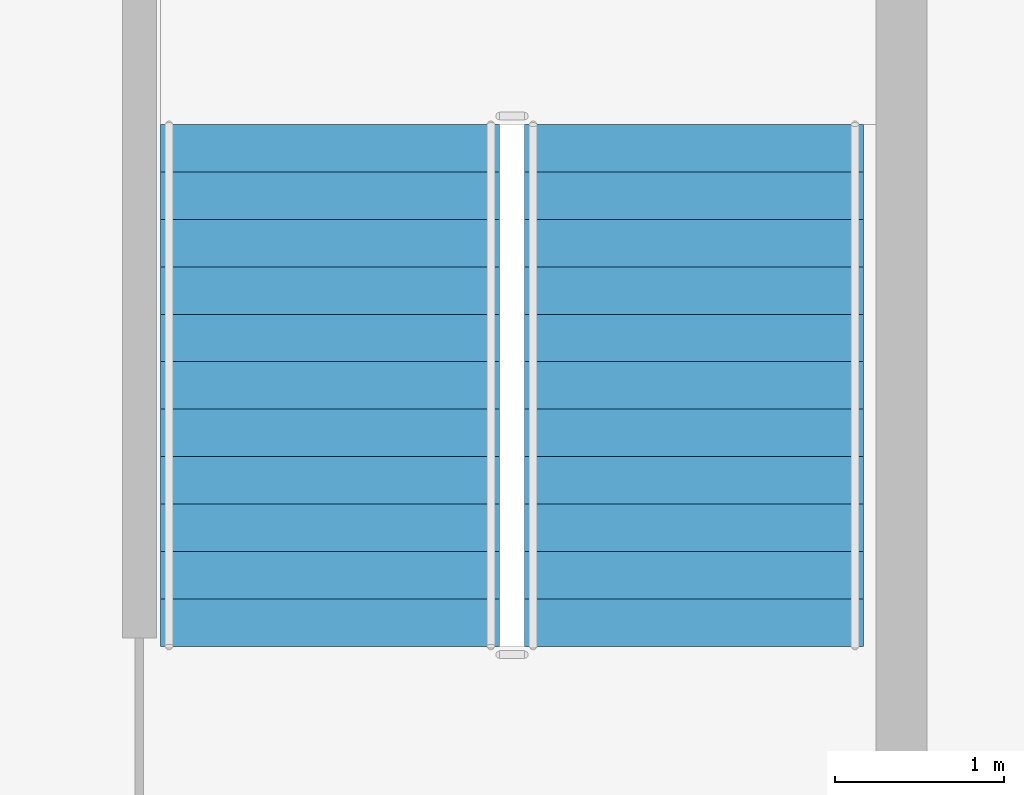
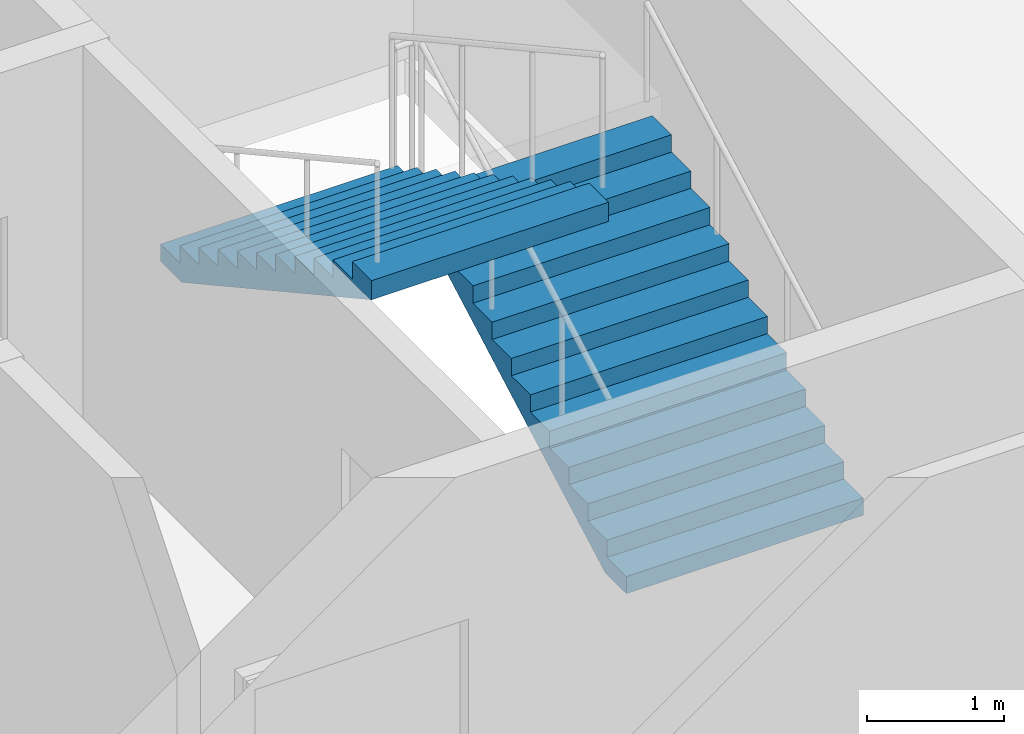
# One storey, part 9 of 12: 2 stair flights, 1 element without a shape of its own.
"""IFC4 building model written with IfcOpenShell, lengths in metres."""

from ifc_helpers import new_model, si_unit, direction, frame, origin, place, context, subcontext, project, spatial, polygons, material, type_object, element, aggregate, save


model = new_model("IFC4")

# Units and contexts
model_context = context("Model", 3, precision=1e-05, world=origin(), true_north=direction((0.0, 1.0)))
body_context = subcontext(model_context, "Body", "Model", "MODEL_VIEW")
ifc_project = project(units=[si_unit("LENGTHUNIT", "METRE"), si_unit("AREAUNIT", "SQUARE_METRE"), si_unit("VOLUMEUNIT", "CUBIC_METRE"), si_unit("PLANEANGLEUNIT", "RADIAN"), si_unit("MASSUNIT", "GRAM", prefix="KILO")], contexts=[model_context])

# Site, building, storey
site_placement = place(None, origin())
site = spatial("IfcSite", under=ifc_project, at=site_placement, CompositionType="ELEMENT")
building_placement = place(site_placement, origin())
building = spatial("IfcBuilding", under=site, at=building_placement, Name="Caravel Reach Hotel and Residences", CompositionType="ELEMENT")
storey_placement = place(building_placement, frame((0.0, 0.0, 245.300048828125)))
storey = spatial("IfcBuildingStorey", under=building, at=storey_placement, Name="L62", CompositionType="ELEMENT", Elevation=245.300048828125)

# Stair, stair flights
ifc_material_1 = material(Name="Concrete C40", Category="concrete")
stair_type = type_object("IfcStairType", Name="Core stair", PredefinedType="HALF_TURN_STAIR", material=ifc_material_1)
stair_placement = place(storey_placement, origin())
stair = element("IfcStair", 1, at=stair_placement, inside=storey, type_object=stair_type, Name="L62 Exit stair B", PredefinedType="HALF_TURN_STAIR")
ifc_material_2 = material(Name="Concrete C40", Category="concrete")
stair_flight_type = type_object("IfcStairFlightType", Name="Core stair flight", PredefinedType="STRAIGHT", material=ifc_material_2)
stair_flight_1_placement = place(storey_placement, frame((43.77490234375, 24.64990234375, 0.0), z_axis=(0.0, 0.0, 1.0), x_axis=(0.0, 1.0, 0.0)))
stair_flight_1 = element("IfcStairFlight", 2, at=stair_flight_1_placement, type_object=stair_flight_type, Name="ST-B flight 1", NumberOfRisers=12, NumberOfTreads=11, PredefinedType="STRAIGHT", RiserHeight=0.154166667, TreadLength=0.28, context=body_context, shape_type="Tessellation", body=[
    polygons([(0.3107950034306102, 1.0, 0.0), (0.3107950034306102, 0.6666666666666667, 0.0), (0.3107950034306102, 0.33333333333333337, 0.0), (0.3107950034306102, 0.0, 0.0), (0.3107950034306102, -0.33333333333333326, 0.0), (0.3107950034306102, -0.6666666666666667, 0.0), (0.3107950034306102, -1.0, 0.0), (3.081, 1.0, 1.524711087717319), (3.081, 0.6666666666666667, 1.524711087717319), (3.081, 0.33333333333333337, 1.524711087717319), (3.081, 0.0, 1.524711087717319), (3.081, -0.33333333333333326, 1.524711087717319), (3.081, -0.6666666666666667, 1.524711087717319), (3.081, -1.0, 1.524711087717319), (3.081, 1.0, 1.695833337), (3.081, 0.6666666666666667, 1.695833337), (3.081, 0.33333333333333337, 1.695833337), (3.081, 0.0, 1.695833337), (3.081, -0.33333333333333326, 1.695833337), (3.081, -0.6666666666666667, 1.695833337), (3.081, -1.0, 1.695833337), (2.8000000000000003, 1.0, 1.695833337), (2.8000000000000003, 0.6666666666666667, 1.695833337), (2.8000000000000003, 0.33333333333333337, 1.695833337), (2.8000000000000003, 0.0, 1.695833337), (2.8000000000000003, -0.33333333333333326, 1.695833337), (2.8000000000000003, -0.6666666666666667, 1.695833337), (2.8000000000000003, -1.0, 1.695833337), (2.8000000000000003, 1.0, 1.5416666700000001), (2.8000000000000003, 0.6666666666666667, 1.5416666700000001), (2.8000000000000003, 0.33333333333333337, 1.5416666700000001), (2.8000000000000003, 0.0, 1.5416666700000001), (2.8000000000000003, -0.33333333333333326, 1.5416666700000001), (2.8000000000000003, -0.6666666666666667, 1.5416666700000001), (2.8000000000000003, -1.0, 1.5416666700000001), (2.5200000000000005, 1.0, 1.5416666700000001), (2.5200000000000005, 0.6666666666666667, 1.5416666700000001), (2.5200000000000005, 0.33333333333333337, 1.5416666700000001), (2.5200000000000005, 0.0, 1.5416666700000001), (2.5200000000000005, -0.33333333333333326, 1.5416666700000001), (2.5200000000000005, -0.6666666666666667, 1.5416666700000001), (2.5200000000000005, -1.0, 1.5416666700000001), (2.5200000000000005, 1.0, 1.387500003), (2.5200000000000005, 0.6666666666666667, 1.387500003), (2.5200000000000005, 0.33333333333333337, 1.387500003), (2.5200000000000005, 0.0, 1.387500003), (2.5200000000000005, -0.33333333333333326, 1.387500003), (2.5200000000000005, -0.6666666666666667, 1.387500003), (2.5200000000000005, -1.0, 1.387500003), (2.24, 1.0, 1.387500003), (2.24, 0.6666666666666667, 1.387500003), (2.24, 0.33333333333333337, 1.387500003), (2.24, 0.0, 1.387500003), (2.24, -0.33333333333333326, 1.387500003), (2.24, -0.6666666666666667, 1.387500003), (2.24, -1.0, 1.387500003), (2.24, 1.0, 1.233333336), (2.24, 0.6666666666666667, 1.233333336), (2.24, 0.33333333333333337, 1.233333336), (2.24, 0.0, 1.233333336), (2.24, -0.33333333333333326, 1.233333336), (2.24, -0.6666666666666667, 1.233333336), (2.24, -1.0, 1.233333336), (1.9600000000000002, 1.0, 1.233333336), (1.9600000000000002, 0.6666666666666667, 1.233333336), (1.9600000000000002, 0.33333333333333337, 1.233333336), (1.9600000000000002, 0.0, 1.233333336), (1.9600000000000002, -0.33333333333333326, 1.233333336), (1.9600000000000002, -0.6666666666666667, 1.233333336), (1.9600000000000002, -1.0, 1.233333336), (1.9600000000000002, 1.0, 1.0791666690000001), (1.9600000000000002, 0.6666666666666667, 1.0791666690000001), (1.9600000000000002, 0.33333333333333337, 1.0791666690000001), (1.9600000000000002, 0.0, 1.0791666690000001), (1.9600000000000002, -0.33333333333333326, 1.0791666690000001), (1.9600000000000002, -0.6666666666666667, 1.0791666690000001), (1.9600000000000002, -1.0, 1.0791666690000001), (1.6800000000000002, 1.0, 1.0791666690000001), (1.6800000000000002, 0.6666666666666667, 1.0791666690000001), (1.6800000000000002, 0.33333333333333337, 1.0791666690000001), (1.6800000000000002, 0.0, 1.0791666690000001), (1.6800000000000002, -0.33333333333333326, 1.0791666690000001), (1.6800000000000002, -0.6666666666666667, 1.0791666690000001), (1.6800000000000002, -1.0, 1.0791666690000001), (1.6800000000000002, 1.0, 0.925000002), (1.6800000000000002, 0.6666666666666667, 0.925000002), (1.6800000000000002, 0.33333333333333337, 0.925000002), (1.6800000000000002, 0.0, 0.925000002), (1.6800000000000002, -0.33333333333333326, 0.925000002), (1.6800000000000002, -0.6666666666666667, 0.925000002), (1.6800000000000002, -1.0, 0.925000002), (1.4000000000000001, 1.0, 0.925000002), (1.4000000000000001, 0.6666666666666667, 0.925000002), (1.4000000000000001, 0.33333333333333337, 0.925000002), (1.4000000000000001, 0.0, 0.925000002), (1.4000000000000001, -0.33333333333333326, 0.925000002), (1.4000000000000001, -0.6666666666666667, 0.925000002), (1.4000000000000001, -1.0, 0.925000002), (1.4000000000000001, 1.0, 0.7708333350000001), (1.4000000000000001, 0.6666666666666667, 0.7708333350000001), (1.4000000000000001, 0.33333333333333337, 0.7708333350000001), (1.4000000000000001, 0.0, 0.7708333350000001), (1.4000000000000001, -0.33333333333333326, 0.7708333350000001), (1.4000000000000001, -0.6666666666666667, 0.7708333350000001), (1.4000000000000001, -1.0, 0.7708333350000001), (1.12, 1.0, 0.7708333350000001), (1.12, 0.6666666666666667, 0.7708333350000001), (1.12, 0.33333333333333337, 0.7708333350000001), (1.12, 0.0, 0.7708333350000001), (1.12, -0.33333333333333326, 0.7708333350000001), (1.12, -0.6666666666666667, 0.7708333350000001), (1.12, -1.0, 0.7708333350000001), (1.12, 1.0, 0.616666668), (1.12, 0.6666666666666667, 0.616666668), (1.12, 0.33333333333333337, 0.616666668), (1.12, 0.0, 0.616666668), (1.12, -0.33333333333333326, 0.616666668), (1.12, -0.6666666666666667, 0.616666668), (1.12, -1.0, 0.616666668), (0.8400000000000001, 1.0, 0.616666668), (0.8400000000000001, 0.6666666666666667, 0.616666668), (0.8400000000000001, 0.33333333333333337, 0.616666668), (0.8400000000000001, 0.0, 0.616666668), (0.8400000000000001, -0.33333333333333326, 0.616666668), (0.8400000000000001, -0.6666666666666667, 0.616666668), (0.8400000000000001, -1.0, 0.616666668), (0.8400000000000001, 1.0, 0.462500001), (0.8400000000000001, 0.6666666666666667, 0.462500001), (0.8400000000000001, 0.33333333333333337, 0.462500001), (0.8400000000000001, 0.0, 0.462500001), (0.8400000000000001, -0.33333333333333326, 0.462500001), (0.8400000000000001, -0.6666666666666667, 0.462500001), (0.8400000000000001, -1.0, 0.462500001), (0.56, 1.0, 0.462500001), (0.56, 0.6666666666666667, 0.462500001), (0.56, 0.33333333333333337, 0.462500001), (0.56, 0.0, 0.462500001), (0.56, -0.33333333333333326, 0.462500001), (0.56, -0.6666666666666667, 0.462500001), (0.56, -1.0, 0.462500001), (0.56, 1.0, 0.308333334), (0.56, 0.6666666666666667, 0.308333334), (0.56, 0.33333333333333337, 0.308333334), (0.56, 0.0, 0.308333334), (0.56, -0.33333333333333326, 0.308333334), (0.56, -0.6666666666666667, 0.308333334), (0.56, -1.0, 0.308333334), (0.28, 1.0, 0.308333334), (0.28, 0.6666666666666667, 0.308333334), (0.28, 0.33333333333333337, 0.308333334), (0.28, 0.0, 0.308333334), (0.28, -0.33333333333333326, 0.308333334), (0.28, -0.6666666666666667, 0.308333334), (0.28, -1.0, 0.308333334), (0.28, 1.0, 0.154166667), (0.28, 0.6666666666666667, 0.154166667), (0.28, 0.33333333333333337, 0.154166667), (0.28, 0.0, 0.154166667), (0.28, -0.33333333333333326, 0.154166667), (0.28, -0.6666666666666667, 0.154166667), (0.28, -1.0, 0.154166667), (-0.001, 1.0, 0.154166667), (-0.001, 0.6666666666666667, 0.154166667), (-0.001, 0.33333333333333337, 0.154166667), (-0.001, 0.0, 0.154166667), (-0.001, -0.33333333333333326, 0.154166667), (-0.001, -0.6666666666666667, 0.154166667), (-0.001, -1.0, 0.154166667), (-0.001, 1.0, 0.0), (-0.001, 0.6666666666666667, 0.0), (-0.001, 0.33333333333333337, 0.0), (-0.001, 0.0, 0.0), (-0.001, -0.33333333333333326, 0.0), (-0.001, -0.6666666666666667, 0.0), (-0.001, -1.0, 0.0)], [[[169, 162, 155, 148, 141, 134, 127, 120, 113, 106, 99, 92, 85, 78, 71, 64, 57, 50, 43, 36, 29, 22, 15, 8, 1]], [[7, 14, 21, 28, 35, 42, 49, 56, 63, 70, 77, 84, 91, 98, 105, 112, 119, 126, 133, 140, 147, 154, 161, 168, 175]], [[1, 8, 9, 2]], [[2, 9, 10, 3]], [[3, 10, 11, 4]], [[4, 11, 12, 5]], [[5, 12, 13, 6]], [[6, 13, 14, 7]], [[8, 15, 16, 9]], [[9, 16, 17, 10]], [[10, 17, 18, 11]], [[11, 18, 19, 12]], [[12, 19, 20, 13]], [[13, 20, 21, 14]], [[15, 22, 23, 16]], [[16, 23, 24, 17]], [[17, 24, 25, 18]], [[18, 25, 26, 19]], [[19, 26, 27, 20]], [[20, 27, 28, 21]], [[22, 29, 30, 23]], [[23, 30, 31, 24]], [[24, 31, 32, 25]], [[25, 32, 33, 26]], [[26, 33, 34, 27]], [[27, 34, 35, 28]], [[29, 36, 37, 30]], [[30, 37, 38, 31]], [[31, 38, 39, 32]], [[32, 39, 40, 33]], [[33, 40, 41, 34]], [[34, 41, 42, 35]], [[36, 43, 44, 37]], [[37, 44, 45, 38]], [[38, 45, 46, 39]], [[39, 46, 47, 40]], [[40, 47, 48, 41]], [[41, 48, 49, 42]], [[43, 50, 51, 44]], [[44, 51, 52, 45]], [[45, 52, 53, 46]], [[46, 53, 54, 47]], [[47, 54, 55, 48]], [[48, 55, 56, 49]], [[50, 57, 58, 51]], [[51, 58, 59, 52]], [[52, 59, 60, 53]], [[53, 60, 61, 54]], [[54, 61, 62, 55]], [[55, 62, 63, 56]], [[57, 64, 65, 58]], [[58, 65, 66, 59]], [[59, 66, 67, 60]], [[60, 67, 68, 61]], [[61, 68, 69, 62]], [[62, 69, 70, 63]], [[64, 71, 72, 65]], [[65, 72, 73, 66]], [[66, 73, 74, 67]], [[67, 74, 75, 68]], [[68, 75, 76, 69]], [[69, 76, 77, 70]], [[71, 78, 79, 72]], [[72, 79, 80, 73]], [[73, 80, 81, 74]], [[74, 81, 82, 75]], [[75, 82, 83, 76]], [[76, 83, 84, 77]], [[78, 85, 86, 79]], [[79, 86, 87, 80]], [[80, 87, 88, 81]], [[81, 88, 89, 82]], [[82, 89, 90, 83]], [[83, 90, 91, 84]], [[85, 92, 93, 86]], [[86, 93, 94, 87]], [[87, 94, 95, 88]], [[88, 95, 96, 89]], [[89, 96, 97, 90]], [[90, 97, 98, 91]], [[92, 99, 100, 93]], [[93, 100, 101, 94]], [[94, 101, 102, 95]], [[95, 102, 103, 96]], [[96, 103, 104, 97]], [[97, 104, 105, 98]], [[99, 106, 107, 100]], [[100, 107, 108, 101]], [[101, 108, 109, 102]], [[102, 109, 110, 103]], [[103, 110, 111, 104]], [[104, 111, 112, 105]], [[106, 113, 114, 107]], [[107, 114, 115, 108]], [[108, 115, 116, 109]], [[109, 116, 117, 110]], [[110, 117, 118, 111]], [[111, 118, 119, 112]], [[113, 120, 121, 114]], [[114, 121, 122, 115]], [[115, 122, 123, 116]], [[116, 123, 124, 117]], [[117, 124, 125, 118]], [[118, 125, 126, 119]], [[120, 127, 128, 121]], [[121, 128, 129, 122]], [[122, 129, 130, 123]], [[123, 130, 131, 124]], [[124, 131, 132, 125]], [[125, 132, 133, 126]], [[127, 134, 135, 128]], [[128, 135, 136, 129]], [[129, 136, 137, 130]], [[130, 137, 138, 131]], [[131, 138, 139, 132]], [[132, 139, 140, 133]], [[134, 141, 142, 135]], [[135, 142, 143, 136]], [[136, 143, 144, 137]], [[137, 144, 145, 138]], [[138, 145, 146, 139]], [[139, 146, 147, 140]], [[141, 148, 149, 142]], [[142, 149, 150, 143]], [[143, 150, 151, 144]], [[144, 151, 152, 145]], [[145, 152, 153, 146]], [[146, 153, 154, 147]], [[148, 155, 156, 149]], [[149, 156, 157, 150]], [[150, 157, 158, 151]], [[151, 158, 159, 152]], [[152, 159, 160, 153]], [[153, 160, 161, 154]], [[155, 162, 163, 156]], [[156, 163, 164, 157]], [[157, 164, 165, 158]], [[158, 165, 166, 159]], [[159, 166, 167, 160]], [[160, 167, 168, 161]], [[162, 169, 170, 163]], [[163, 170, 171, 164]], [[164, 171, 172, 165]], [[165, 172, 173, 166]], [[166, 173, 174, 167]], [[167, 174, 175, 168]], [[169, 1, 2, 170]], [[170, 2, 3, 171]], [[171, 3, 4, 172]], [[172, 4, 5, 173]], [[173, 5, 6, 174]], [[174, 6, 7, 175]]], closed=True),
])
stair_flight_2_placement = place(storey_placement, frame((41.625, 27.72998046875, 1.849853515625), z_axis=(0.0, 0.0, 1.0), x_axis=(0.0, -1.0, 0.0)))
stair_flight_2 = element("IfcStairFlight", 3, at=stair_flight_2_placement, type_object=stair_flight_type, Name="ST-B flight 2", NumberOfRisers=12, NumberOfTreads=11, PredefinedType="STRAIGHT", RiserHeight=0.154166667, TreadLength=0.28, context=body_context, shape_type="Tessellation", body=[
    polygons([(0.3107950034306102, 1.0, 0.0), (0.3107950034306102, 0.6666666666666667, 0.0), (0.3107950034306102, 0.33333333333333337, 0.0), (0.3107950034306102, 0.0, 0.0), (0.3107950034306102, -0.33333333333333326, 0.0), (0.3107950034306102, -0.6666666666666667, 0.0), (0.3107950034306102, -1.0, 0.0), (3.081, 1.0, 1.524711087717319), (3.081, 0.6666666666666667, 1.524711087717319), (3.081, 0.33333333333333337, 1.524711087717319), (3.081, 0.0, 1.524711087717319), (3.081, -0.33333333333333326, 1.524711087717319), (3.081, -0.6666666666666667, 1.524711087717319), (3.081, -1.0, 1.524711087717319), (3.081, 1.0, 1.695833337), (3.081, 0.6666666666666667, 1.695833337), (3.081, 0.33333333333333337, 1.695833337), (3.081, 0.0, 1.695833337), (3.081, -0.33333333333333326, 1.695833337), (3.081, -0.6666666666666667, 1.695833337), (3.081, -1.0, 1.695833337), (2.8000000000000003, 1.0, 1.695833337), (2.8000000000000003, 0.6666666666666667, 1.695833337), (2.8000000000000003, 0.33333333333333337, 1.695833337), (2.8000000000000003, 0.0, 1.695833337), (2.8000000000000003, -0.33333333333333326, 1.695833337), (2.8000000000000003, -0.6666666666666667, 1.695833337), (2.8000000000000003, -1.0, 1.695833337), (2.8000000000000003, 1.0, 1.5416666700000001), (2.8000000000000003, 0.6666666666666667, 1.5416666700000001), (2.8000000000000003, 0.33333333333333337, 1.5416666700000001), (2.8000000000000003, 0.0, 1.5416666700000001), (2.8000000000000003, -0.33333333333333326, 1.5416666700000001), (2.8000000000000003, -0.6666666666666667, 1.5416666700000001), (2.8000000000000003, -1.0, 1.5416666700000001), (2.5200000000000005, 1.0, 1.5416666700000001), (2.5200000000000005, 0.6666666666666667, 1.5416666700000001), (2.5200000000000005, 0.33333333333333337, 1.5416666700000001), (2.5200000000000005, 0.0, 1.5416666700000001), (2.5200000000000005, -0.33333333333333326, 1.5416666700000001), (2.5200000000000005, -0.6666666666666667, 1.5416666700000001), (2.5200000000000005, -1.0, 1.5416666700000001), (2.5200000000000005, 1.0, 1.387500003), (2.5200000000000005, 0.6666666666666667, 1.387500003), (2.5200000000000005, 0.33333333333333337, 1.387500003), (2.5200000000000005, 0.0, 1.387500003), (2.5200000000000005, -0.33333333333333326, 1.387500003), (2.5200000000000005, -0.6666666666666667, 1.387500003), (2.5200000000000005, -1.0, 1.387500003), (2.24, 1.0, 1.387500003), (2.24, 0.6666666666666667, 1.387500003), (2.24, 0.33333333333333337, 1.387500003), (2.24, 0.0, 1.387500003), (2.24, -0.33333333333333326, 1.387500003), (2.24, -0.6666666666666667, 1.387500003), (2.24, -1.0, 1.387500003), (2.24, 1.0, 1.233333336), (2.24, 0.6666666666666667, 1.233333336), (2.24, 0.33333333333333337, 1.233333336), (2.24, 0.0, 1.233333336), (2.24, -0.33333333333333326, 1.233333336), (2.24, -0.6666666666666667, 1.233333336), (2.24, -1.0, 1.233333336), (1.9600000000000002, 1.0, 1.233333336), (1.9600000000000002, 0.6666666666666667, 1.233333336), (1.9600000000000002, 0.33333333333333337, 1.233333336), (1.9600000000000002, 0.0, 1.233333336), (1.9600000000000002, -0.33333333333333326, 1.233333336), (1.9600000000000002, -0.6666666666666667, 1.233333336), (1.9600000000000002, -1.0, 1.233333336), (1.9600000000000002, 1.0, 1.0791666690000001), (1.9600000000000002, 0.6666666666666667, 1.0791666690000001), (1.9600000000000002, 0.33333333333333337, 1.0791666690000001), (1.9600000000000002, 0.0, 1.0791666690000001), (1.9600000000000002, -0.33333333333333326, 1.0791666690000001), (1.9600000000000002, -0.6666666666666667, 1.0791666690000001), (1.9600000000000002, -1.0, 1.0791666690000001), (1.6800000000000002, 1.0, 1.0791666690000001), (1.6800000000000002, 0.6666666666666667, 1.0791666690000001), (1.6800000000000002, 0.33333333333333337, 1.0791666690000001), (1.6800000000000002, 0.0, 1.0791666690000001), (1.6800000000000002, -0.33333333333333326, 1.0791666690000001), (1.6800000000000002, -0.6666666666666667, 1.0791666690000001), (1.6800000000000002, -1.0, 1.0791666690000001), (1.6800000000000002, 1.0, 0.925000002), (1.6800000000000002, 0.6666666666666667, 0.925000002), (1.6800000000000002, 0.33333333333333337, 0.925000002), (1.6800000000000002, 0.0, 0.925000002), (1.6800000000000002, -0.33333333333333326, 0.925000002), (1.6800000000000002, -0.6666666666666667, 0.925000002), (1.6800000000000002, -1.0, 0.925000002), (1.4000000000000001, 1.0, 0.925000002), (1.4000000000000001, 0.6666666666666667, 0.925000002), (1.4000000000000001, 0.33333333333333337, 0.925000002), (1.4000000000000001, 0.0, 0.925000002), (1.4000000000000001, -0.33333333333333326, 0.925000002), (1.4000000000000001, -0.6666666666666667, 0.925000002), (1.4000000000000001, -1.0, 0.925000002), (1.4000000000000001, 1.0, 0.7708333350000001), (1.4000000000000001, 0.6666666666666667, 0.7708333350000001), (1.4000000000000001, 0.33333333333333337, 0.7708333350000001), (1.4000000000000001, 0.0, 0.7708333350000001), (1.4000000000000001, -0.33333333333333326, 0.7708333350000001), (1.4000000000000001, -0.6666666666666667, 0.7708333350000001), (1.4000000000000001, -1.0, 0.7708333350000001), (1.12, 1.0, 0.7708333350000001), (1.12, 0.6666666666666667, 0.7708333350000001), (1.12, 0.33333333333333337, 0.7708333350000001), (1.12, 0.0, 0.7708333350000001), (1.12, -0.33333333333333326, 0.7708333350000001), (1.12, -0.6666666666666667, 0.7708333350000001), (1.12, -1.0, 0.7708333350000001), (1.12, 1.0, 0.616666668), (1.12, 0.6666666666666667, 0.616666668), (1.12, 0.33333333333333337, 0.616666668), (1.12, 0.0, 0.616666668), (1.12, -0.33333333333333326, 0.616666668), (1.12, -0.6666666666666667, 0.616666668), (1.12, -1.0, 0.616666668), (0.8400000000000001, 1.0, 0.616666668), (0.8400000000000001, 0.6666666666666667, 0.616666668), (0.8400000000000001, 0.33333333333333337, 0.616666668), (0.8400000000000001, 0.0, 0.616666668), (0.8400000000000001, -0.33333333333333326, 0.616666668), (0.8400000000000001, -0.6666666666666667, 0.616666668), (0.8400000000000001, -1.0, 0.616666668), (0.8400000000000001, 1.0, 0.462500001), (0.8400000000000001, 0.6666666666666667, 0.462500001), (0.8400000000000001, 0.33333333333333337, 0.462500001), (0.8400000000000001, 0.0, 0.462500001), (0.8400000000000001, -0.33333333333333326, 0.462500001), (0.8400000000000001, -0.6666666666666667, 0.462500001), (0.8400000000000001, -1.0, 0.462500001), (0.56, 1.0, 0.462500001), (0.56, 0.6666666666666667, 0.462500001), (0.56, 0.33333333333333337, 0.462500001), (0.56, 0.0, 0.462500001), (0.56, -0.33333333333333326, 0.462500001), (0.56, -0.6666666666666667, 0.462500001), (0.56, -1.0, 0.462500001), (0.56, 1.0, 0.308333334), (0.56, 0.6666666666666667, 0.308333334), (0.56, 0.33333333333333337, 0.308333334), (0.56, 0.0, 0.308333334), (0.56, -0.33333333333333326, 0.308333334), (0.56, -0.6666666666666667, 0.308333334), (0.56, -1.0, 0.308333334), (0.28, 1.0, 0.308333334), (0.28, 0.6666666666666667, 0.308333334), (0.28, 0.33333333333333337, 0.308333334), (0.28, 0.0, 0.308333334), (0.28, -0.33333333333333326, 0.308333334), (0.28, -0.6666666666666667, 0.308333334), (0.28, -1.0, 0.308333334), (0.28, 1.0, 0.154166667), (0.28, 0.6666666666666667, 0.154166667), (0.28, 0.33333333333333337, 0.154166667), (0.28, 0.0, 0.154166667), (0.28, -0.33333333333333326, 0.154166667), (0.28, -0.6666666666666667, 0.154166667), (0.28, -1.0, 0.154166667), (-0.001, 1.0, 0.154166667), (-0.001, 0.6666666666666667, 0.154166667), (-0.001, 0.33333333333333337, 0.154166667), (-0.001, 0.0, 0.154166667), (-0.001, -0.33333333333333326, 0.154166667), (-0.001, -0.6666666666666667, 0.154166667), (-0.001, -1.0, 0.154166667), (-0.001, 1.0, 0.0), (-0.001, 0.6666666666666667, 0.0), (-0.001, 0.33333333333333337, 0.0), (-0.001, 0.0, 0.0), (-0.001, -0.33333333333333326, 0.0), (-0.001, -0.6666666666666667, 0.0), (-0.001, -1.0, 0.0)], [[[169, 162, 155, 148, 141, 134, 127, 120, 113, 106, 99, 92, 85, 78, 71, 64, 57, 50, 43, 36, 29, 22, 15, 8, 1]], [[7, 14, 21, 28, 35, 42, 49, 56, 63, 70, 77, 84, 91, 98, 105, 112, 119, 126, 133, 140, 147, 154, 161, 168, 175]], [[1, 8, 9, 2]], [[2, 9, 10, 3]], [[3, 10, 11, 4]], [[4, 11, 12, 5]], [[5, 12, 13, 6]], [[6, 13, 14, 7]], [[8, 15, 16, 9]], [[9, 16, 17, 10]], [[10, 17, 18, 11]], [[11, 18, 19, 12]], [[12, 19, 20, 13]], [[13, 20, 21, 14]], [[15, 22, 23, 16]], [[16, 23, 24, 17]], [[17, 24, 25, 18]], [[18, 25, 26, 19]], [[19, 26, 27, 20]], [[20, 27, 28, 21]], [[22, 29, 30, 23]], [[23, 30, 31, 24]], [[24, 31, 32, 25]], [[25, 32, 33, 26]], [[26, 33, 34, 27]], [[27, 34, 35, 28]], [[29, 36, 37, 30]], [[30, 37, 38, 31]], [[31, 38, 39, 32]], [[32, 39, 40, 33]], [[33, 40, 41, 34]], [[34, 41, 42, 35]], [[36, 43, 44, 37]], [[37, 44, 45, 38]], [[38, 45, 46, 39]], [[39, 46, 47, 40]], [[40, 47, 48, 41]], [[41, 48, 49, 42]], [[43, 50, 51, 44]], [[44, 51, 52, 45]], [[45, 52, 53, 46]], [[46, 53, 54, 47]], [[47, 54, 55, 48]], [[48, 55, 56, 49]], [[50, 57, 58, 51]], [[51, 58, 59, 52]], [[52, 59, 60, 53]], [[53, 60, 61, 54]], [[54, 61, 62, 55]], [[55, 62, 63, 56]], [[57, 64, 65, 58]], [[58, 65, 66, 59]], [[59, 66, 67, 60]], [[60, 67, 68, 61]], [[61, 68, 69, 62]], [[62, 69, 70, 63]], [[64, 71, 72, 65]], [[65, 72, 73, 66]], [[66, 73, 74, 67]], [[67, 74, 75, 68]], [[68, 75, 76, 69]], [[69, 76, 77, 70]], [[71, 78, 79, 72]], [[72, 79, 80, 73]], [[73, 80, 81, 74]], [[74, 81, 82, 75]], [[75, 82, 83, 76]], [[76, 83, 84, 77]], [[78, 85, 86, 79]], [[79, 86, 87, 80]], [[80, 87, 88, 81]], [[81, 88, 89, 82]], [[82, 89, 90, 83]], [[83, 90, 91, 84]], [[85, 92, 93, 86]], [[86, 93, 94, 87]], [[87, 94, 95, 88]], [[88, 95, 96, 89]], [[89, 96, 97, 90]], [[90, 97, 98, 91]], [[92, 99, 100, 93]], [[93, 100, 101, 94]], [[94, 101, 102, 95]], [[95, 102, 103, 96]], [[96, 103, 104, 97]], [[97, 104, 105, 98]], [[99, 106, 107, 100]], [[100, 107, 108, 101]], [[101, 108, 109, 102]], [[102, 109, 110, 103]], [[103, 110, 111, 104]], [[104, 111, 112, 105]], [[106, 113, 114, 107]], [[107, 114, 115, 108]], [[108, 115, 116, 109]], [[109, 116, 117, 110]], [[110, 117, 118, 111]], [[111, 118, 119, 112]], [[113, 120, 121, 114]], [[114, 121, 122, 115]], [[115, 122, 123, 116]], [[116, 123, 124, 117]], [[117, 124, 125, 118]], [[118, 125, 126, 119]], [[120, 127, 128, 121]], [[121, 128, 129, 122]], [[122, 129, 130, 123]], [[123, 130, 131, 124]], [[124, 131, 132, 125]], [[125, 132, 133, 126]], [[127, 134, 135, 128]], [[128, 135, 136, 129]], [[129, 136, 137, 130]], [[130, 137, 138, 131]], [[131, 138, 139, 132]], [[132, 139, 140, 133]], [[134, 141, 142, 135]], [[135, 142, 143, 136]], [[136, 143, 144, 137]], [[137, 144, 145, 138]], [[138, 145, 146, 139]], [[139, 146, 147, 140]], [[141, 148, 149, 142]], [[142, 149, 150, 143]], [[143, 150, 151, 144]], [[144, 151, 152, 145]], [[145, 152, 153, 146]], [[146, 153, 154, 147]], [[148, 155, 156, 149]], [[149, 156, 157, 150]], [[150, 157, 158, 151]], [[151, 158, 159, 152]], [[152, 159, 160, 153]], [[153, 160, 161, 154]], [[155, 162, 163, 156]], [[156, 163, 164, 157]], [[157, 164, 165, 158]], [[158, 165, 166, 159]], [[159, 166, 167, 160]], [[160, 167, 168, 161]], [[162, 169, 170, 163]], [[163, 170, 171, 164]], [[164, 171, 172, 165]], [[165, 172, 173, 166]], [[166, 173, 174, 167]], [[167, 174, 175, 168]], [[169, 1, 2, 170]], [[170, 2, 3, 171]], [[171, 3, 4, 172]], [[172, 4, 5, 173]], [[173, 5, 6, 174]], [[174, 6, 7, 175]]], closed=True),
])
aggregate(stair, [stair_flight_1, stair_flight_2])

save(model, "model.ifc")
